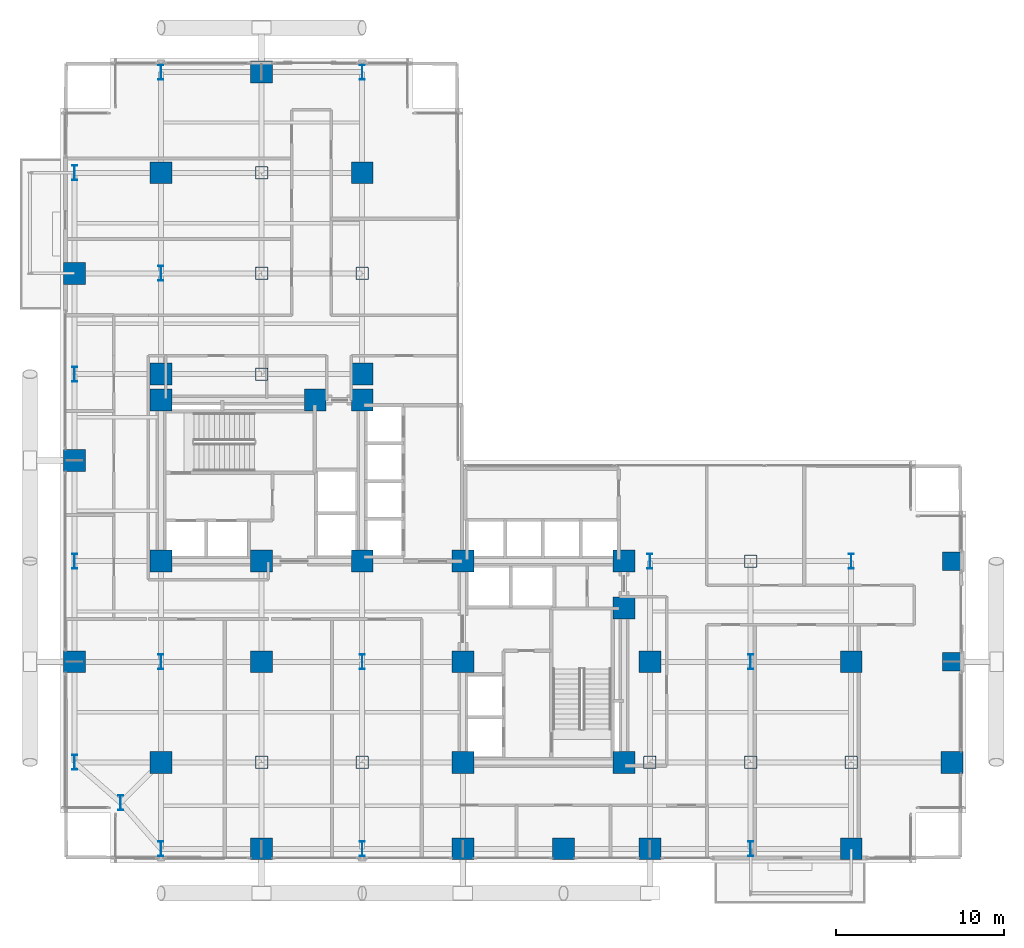
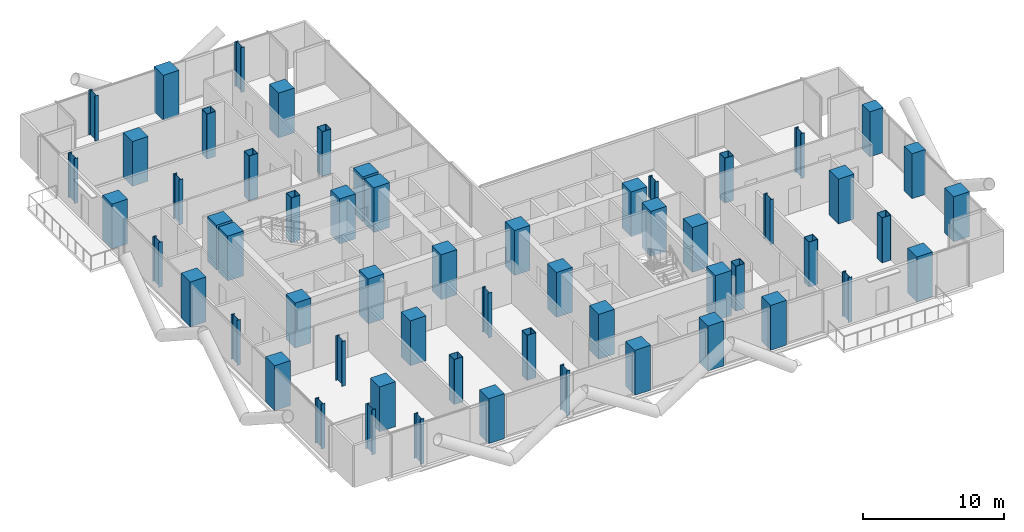
# One storey, part 1 of 27: 58 columns.
"""IFC4 building model written with IfcOpenShell, lengths in metres."""

from ifc_helpers import new_model, si_unit, direction, frame, origin, origin_2d, place, context, subcontext, project, spatial, rectangle, hollow_rectangle, i_section, extrude, material, material_profile, profile_set, type_object, element, save


model = new_model("IFC4")

# Units and contexts
model_context = context("Model", 3, precision=1e-05, world=origin(), true_north=direction((0.0, 1.0)))
body_context = subcontext(model_context, "Body", "Model", "MODEL_VIEW")
ifc_project = project(units=[si_unit("LENGTHUNIT", "METRE"), si_unit("AREAUNIT", "SQUARE_METRE"), si_unit("VOLUMEUNIT", "CUBIC_METRE"), si_unit("PLANEANGLEUNIT", "RADIAN"), si_unit("MASSUNIT", "GRAM", prefix="KILO"), si_unit("THERMODYNAMICTEMPERATUREUNIT", "KELVIN"), si_unit("POWERUNIT", "WATT")], contexts=[model_context])

# Site, building, storey
site_placement = place(None, origin())
site = spatial("IfcSite", under=ifc_project, at=site_placement, CompositionType="ELEMENT")
building_placement = place(site_placement, origin())
building = spatial("IfcBuilding", under=site, at=building_placement, Name="Svarakhadi Broadcast Tower", CompositionType="ELEMENT")
storey_placement = place(building_placement, frame((0.0, 0.0, 75.300048828125)))
storey = spatial("IfcBuildingStorey", under=building, at=storey_placement, Name="L17", CompositionType="ELEMENT", Elevation=75.300048828125)

# Columns
ifc_material_1 = material(Name="Steel S460ML (IS 2062 E450BR)", Category="steel")
ifc_material_profile_1 = material_profile(ifc_material_1, hollow_rectangle(XDim=0.75, YDim=0.75, WallThickness=0.034912109375, InnerFilletRadius=0.034912109375, OuterFilletRadius=0.050048828125, at=origin_2d()), Name="BOX 750x750x35")
ifc_profile_set_1 = profile_set([ifc_material_profile_1], Name="Steel S460ML (IS 2062 E450BR)")
column_type_1 = type_object("IfcColumnType", Name="Col_BOX750", PredefinedType="COLUMN", material=ifc_profile_set_1)
for number, where, z_axis, x_axis, name in (
    (1, (12.0, 6.0, 0.0), (0.0, 0.0, 1.0), (1.0, 0.0, 0.0), "L17 Column G19"),
    (2, (12.0, 29.14990234375, 0.0), (0.0, 0.0, 1.0), (1.0, 0.0, 0.0), "L17 Column G21"),
    (3, (12.0, 35.14990234375, 0.0), (0.0, 0.0, 1.0), (1.0, 0.0, 0.0), "L17 Column G22"),
    (4, (12.0, 41.14990234375, 0.0), (0.0, 0.0, 1.0), (1.0, 0.0, 0.0), "L17 Column G23"),
    (5, (18.0, 6.0, 0.0), (0.0, 0.0, 1.0), (1.0, 0.0, 0.0), "L17 Column G26"),
    (6, (18.0, 35.14990234375, 0.0), (0.0, 0.0, 1.0), (1.0, 0.0, 0.0), "L17 Column G29"),
    (7, (35.14990234375, 6.0, 0.0), (0.0, 0.0, 1.0), (1.0, 0.0, 0.0), "L17 Column G39"),
    (8, (41.14990234375, 6.0, 0.0), (0.0, 0.0, 1.0), (1.0, 0.0, 0.0), "L17 Column G44"),
    (9, (41.14990234375, 18.0, 0.0), (0.0, 0.0, 1.0), (1.0, 0.0, 0.0), "L17 Column G46"),
    (10, (47.14990234375, 6.0, 0.0), (0.0, 0.0, 1.0), (1.0, 0.0, 0.0), "L17 Column G51"),
):
    element("IfcColumn", number, at=place(storey_placement, frame(where, z_axis=z_axis, x_axis=x_axis)), inside=storey, type_object=column_type_1, Name=name, PredefinedType="COLUMN", context=body_context, shape_type="SweptSolid", body=[
        extrude(hollow_rectangle(XDim=0.75, YDim=0.75, WallThickness=0.034912109375, InnerFilletRadius=0.034912109375, OuterFilletRadius=0.050048828125, at=origin_2d()), origin(), (0.0, 0.0, 1.0), 3.89990234375),
    ])
ifc_material_2 = material(Name="Concrete C50/60 (IS 456 M60)", Category="concrete")
ifc_material_profile_2 = material_profile(ifc_material_2, rectangle(XDim=1.10009765625, YDim=1.10009765625, at=origin_2d()), Name="RC 1100x1100")
ifc_profile_set_2 = profile_set([ifc_material_profile_2], Name="Concrete C50/60 (IS 456 M60)")
column_type_2 = type_object("IfcColumnType", Name="Col_RC1100", PredefinedType="COLUMN", material=ifc_profile_set_2)
for number, where, z_axis, x_axis, name in (
    (11, (53.14990234375, 12.0, 0.0), (0.0, 0.0, 1.0), (1.0, 0.0, 0.0), "L17 Zone-1 East Stack Column ZT02"),
    (12, (53.14990234375, 18.0, 0.0), (0.0, 0.0, 1.0), (1.0, 0.0, 0.0), "L17 Zone-1 East Stack Column ZT03"),
):
    element("IfcColumn", number, at=place(storey_placement, frame(where, z_axis=z_axis, x_axis=x_axis)), inside=storey, type_object=column_type_2, Name=name, PredefinedType="COLUMN", context=body_context, shape_type="SweptSolid", body=[
        extrude(rectangle(XDim=1.10009765625, YDim=1.10009765625, at=origin_2d()), origin(), (0.0, 0.0, 1.0), 3.89990234375),
    ])
ifc_material_3 = material(Name="Concrete C60/75 (IS 456 M70)", Category="concrete")
ifc_material_profile_3 = material_profile(ifc_material_3, rectangle(XDim=1.300048828125, YDim=1.300048828125, at=origin_2d()), Name="RC 1300x1300")
ifc_profile_set_3 = profile_set([ifc_material_profile_3], Name="Concrete C60/75 (IS 456 M70)")
column_type_3 = type_object("IfcColumnType", Name="Col_RC1300", PredefinedType="COLUMN", material=ifc_profile_set_3)
for number, where, z_axis, x_axis, name in (
    (13, (6.0, 18.0, 0.0), (0.0, 0.0, 1.0), (1.0, 0.0, 0.0), "L17 Column CW1"),
    (14, (12.0, 18.0, 0.0), (0.0, 0.0, 1.0), (1.0, 0.0, 0.0), "L17 Column CW2"),
    (15, (18.0, 18.0, 0.0), (0.0, 0.0, 1.0), (1.0, 0.0, 0.0), "L17 Column CW3"),
    (16, (6.0, 27.60009765625, 0.0), (0.0, 0.0, 1.0), (1.0, 0.0, 0.0), "L17 Column CW4"),
    (17, (15.199951171875, 27.60009765625, 0.0), (0.0, 0.0, 1.0), (1.0, 0.0, 0.0), "L17 Column CW5"),
    (18, (18.0, 27.60009765625, 0.0), (0.0, 0.0, 1.0), (1.0, 0.0, 0.0), "L17 Column CW6"),
    (19, (24.0, 6.0, 0.0), (0.0, 0.0, 1.0), (1.0, 0.0, 0.0), "L17 Column CE1"),
    (20, (24.0, 12.0, 0.0), (0.0, 0.0, 1.0), (1.0, 0.0, 0.0), "L17 Column CE2"),
    (21, (24.0, 18.0, 0.0), (0.0, 0.0, 1.0), (1.0, 0.0, 0.0), "L17 Column CE3"),
    (22, (33.60009765625, 6.0, 0.0), (0.0, 0.0, 1.0), (1.0, 0.0, 0.0), "L17 Column CE4"),
    (23, (33.60009765625, 15.199951171875, 0.0), (0.0, 0.0, 1.0), (1.0, 0.0, 0.0), "L17 Column CE5"),
    (24, (33.60009765625, 18.0, 0.0), (0.0, 0.0, 1.0), (1.0, 0.0, 0.0), "L17 Column CE6"),
    (25, (0.85009765625, 12.0, 0.0), (0.0, 0.0, 1.0), (1.0, 0.0, 0.0), "L17 Column G04"),
    (26, (0.85009765625, 24.0, 0.0), (0.0, 0.0, 1.0), (1.0, 0.0, 0.0), "L17 Column G06"),
    (27, (0.85009765625, 35.14990234375, 0.0), (0.0, 0.0, 1.0), (1.0, 0.0, 0.0), "L17 Column G08"),
    (28, (6.0, 6.0, 0.0), (0.0, 0.0, 1.0), (1.0, 0.0, 0.0), "L17 Column G12"),
    (29, (6.0, 29.14990234375, 0.0), (0.0, 0.0, 1.0), (1.0, 0.0, 0.0), "L17 Column G14"),
    (30, (6.0, 41.14990234375, 0.0), (0.0, 0.0, 1.0), (1.0, 0.0, 0.0), "L17 Column G16"),
    (31, (12.0, 0.85009765625, 0.0), (0.0, 0.0, 1.0), (1.0, 0.0, 0.0), "L17 Column G18"),
    (32, (12.0, 12.0, 0.0), (0.0, 0.0, 1.0), (1.0, 0.0, 0.0), "L17 Column G20"),
    (33, (12.0, 47.14990234375, 0.0), (0.0, 0.0, 1.0), (1.0, 0.0, 0.0), "L17 Column G24"),
    (34, (18.0, 29.14990234375, 0.0), (0.0, 0.0, 1.0), (1.0, 0.0, 0.0), "L17 Column G28"),
    (35, (18.0, 41.14990234375, 0.0), (0.0, 0.0, 1.0), (1.0, 0.0, 0.0), "L17 Column G30"),
    (36, (24.0, 0.85009765625, 0.0), (0.0, 0.0, 1.0), (1.0, 0.0, 0.0), "L17 Column G32"),
    (37, (30.0, 0.85009765625, 0.0), (0.0, 0.0, 1.0), (1.0, 0.0, 0.0), "L17 Column G36"),
    (38, (35.14990234375, 0.85009765625, 0.0), (0.0, 0.0, 1.0), (1.0, 0.0, 0.0), "L17 Column G38"),
    (39, (35.14990234375, 12.0, 0.0), (0.0, 0.0, 1.0), (1.0, 0.0, 0.0), "L17 Column G40"),
    (40, (47.14990234375, 0.85009765625, 0.0), (0.0, 0.0, 1.0), (1.0, 0.0, 0.0), "L17 Column G50"),
    (41, (47.14990234375, 12.0, 0.0), (0.0, 0.0, 1.0), (1.0, 0.0, 0.0), "L17 Column G52"),
    (42, (53.14990234375, 6.0, 0.0), (0.0, 0.0, 1.0), (1.0, 0.0, 0.0), "L17 Column G58"),
):
    element("IfcColumn", number, at=place(storey_placement, frame(where, z_axis=z_axis, x_axis=x_axis)), inside=storey, type_object=column_type_3, Name=name, PredefinedType="COLUMN", context=body_context, shape_type="SweptSolid", body=[
        extrude(rectangle(XDim=1.300048828125, YDim=1.300048828125, at=origin_2d()), origin(), (0.0, 0.0, 1.0), 3.89990234375),
    ])
ifc_material_profile_4 = material_profile(ifc_material_1, i_section(OverallWidth=0.300048828125, OverallDepth=0.89990234375, WebThickness=0.0185546875, FlangeThickness=0.034912109375, FilletRadius=0.030029296875, at=origin_2d()), Name="WPB 900x300x291")
ifc_profile_set_4 = profile_set([ifc_material_profile_4], Name="Steel S460ML (IS 2062 E450BR)")
column_type_4 = type_object("IfcColumnType", Name="Col_WPB900", PredefinedType="COLUMN", material=ifc_profile_set_4)
for number, where, z_axis, x_axis, name in (
    (43, (3.60009765625, 3.60009765625, 0.0), (0.0, 0.0, 1.0), (1.0, 0.0, 0.0), "L17 Column G01"),
    (44, (0.85009765625, 6.0, 0.0), (0.0, 0.0, 1.0), (1.0, 0.0, 0.0), "L17 Column G03"),
    (45, (0.85009765625, 18.0, 0.0), (0.0, 0.0, 1.0), (1.0, 0.0, 0.0), "L17 Column G05"),
    (46, (0.85009765625, 29.14990234375, 0.0), (0.0, 0.0, 1.0), (1.0, 0.0, 0.0), "L17 Column G07"),
    (47, (0.85009765625, 41.14990234375, 0.0), (0.0, 0.0, 1.0), (1.0, 0.0, 0.0), "L17 Column G09"),
    (48, (6.0, 0.85009765625, 0.0), (0.0, 0.0, 1.0), (1.0, 0.0, 0.0), "L17 Column G11"),
    (49, (6.0, 12.0, 0.0), (0.0, 0.0, 1.0), (1.0, 0.0, 0.0), "L17 Column G13"),
    (50, (6.0, 35.14990234375, 0.0), (0.0, 0.0, 1.0), (1.0, 0.0, 0.0), "L17 Column G15"),
    (51, (6.0, 47.14990234375, 0.0), (0.0, 0.0, 1.0), (1.0, 0.0, 0.0), "L17 Column G17"),
    (52, (18.0, 0.85009765625, 0.0), (0.0, 0.0, 1.0), (1.0, 0.0, 0.0), "L17 Column G25"),
    (53, (18.0, 12.0, 0.0), (0.0, 0.0, 1.0), (1.0, 0.0, 0.0), "L17 Column G27"),
    (54, (18.0, 47.14990234375, 0.0), (0.0, 0.0, 1.0), (1.0, 0.0, 0.0), "L17 Column G31"),
    (55, (35.14990234375, 18.0, 0.0), (0.0, 0.0, 1.0), (1.0, 0.0, 0.0), "L17 Column G41"),
    (56, (41.14990234375, 0.85009765625, 0.0), (0.0, 0.0, 1.0), (1.0, 0.0, 0.0), "L17 Column G43"),
    (57, (41.14990234375, 12.0, 0.0), (0.0, 0.0, 1.0), (1.0, 0.0, 0.0), "L17 Column G45"),
    (58, (47.14990234375, 18.0, 0.0), (0.0, 0.0, 1.0), (1.0, 0.0, 0.0), "L17 Column G53"),
):
    element("IfcColumn", number, at=place(storey_placement, frame(where, z_axis=z_axis, x_axis=x_axis)), inside=storey, type_object=column_type_4, Name=name, PredefinedType="COLUMN", context=body_context, shape_type="SweptSolid", body=[
        extrude(i_section(OverallWidth=0.300048828125, OverallDepth=0.89990234375, WebThickness=0.0185546875, FlangeThickness=0.034912109375, FilletRadius=0.030029296875, at=origin_2d()), origin(), (0.0, 0.0, 1.0), 3.89990234375),
    ])

save(model, "model.ifc")
